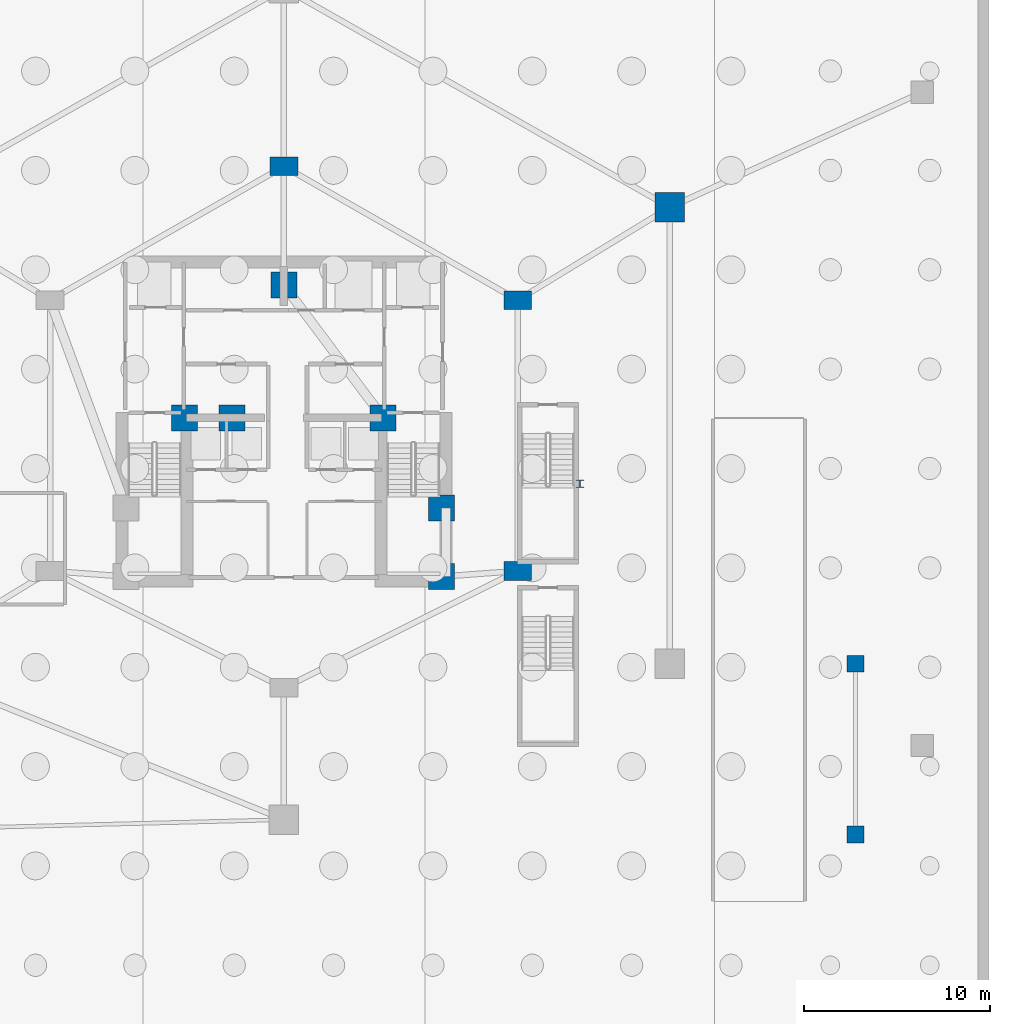
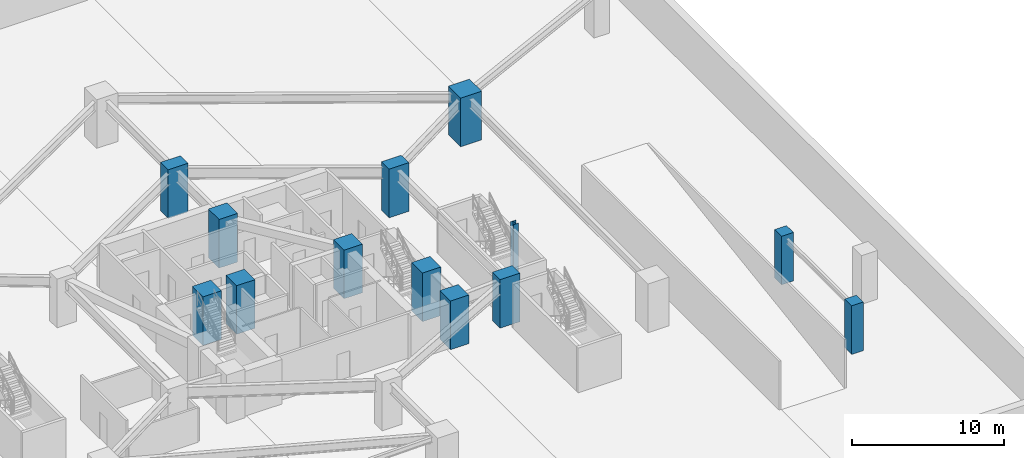
# One storey, part 4 of 14: 13 columns.
"""IFC4 building model written with IfcOpenShell, lengths in metres."""

from ifc_helpers import new_model, si_unit, direction, frame, origin, origin_2d, place, context, subcontext, project, spatial, rectangle, i_section, extrude, material, material_profile, profile_set, type_object, element, save


model = new_model("IFC4")

# Units and contexts
model_context = context("Model", 3, precision=1e-05, world=origin(), true_north=direction((0.0, 1.0)))
body_context = subcontext(model_context, "Body", "Model", "MODEL_VIEW")
ifc_project = project(units=[si_unit("LENGTHUNIT", "METRE"), si_unit("AREAUNIT", "SQUARE_METRE"), si_unit("VOLUMEUNIT", "CUBIC_METRE"), si_unit("PLANEANGLEUNIT", "RADIAN"), si_unit("MASSUNIT", "GRAM", prefix="KILO")], contexts=[model_context])

# Site, building, storey
site_placement = place(None, origin())
site = spatial("IfcSite", under=ifc_project, at=site_placement, CompositionType="ELEMENT")
building_placement = place(site_placement, origin())
building = spatial("IfcBuilding", under=site, at=building_placement, Name="Miruveldt Soraemaru", CompositionType="ELEMENT")
storey_placement = place(building_placement, frame((0.0, 0.0, -15.60009765625)))
storey = spatial("IfcBuildingStorey", under=building, at=storey_placement, Name="B4", CompositionType="ELEMENT", Elevation=-15.60009765625)

# Columns
ifc_material_1 = material(Name="Concrete C50/60 (50 MPa)", Category="concrete")
ifc_material_profile_1 = material_profile(ifc_material_1, rectangle(XDim=0.89990234375, YDim=0.89990234375, at=origin_2d()), Name="Concrete C50/60 (50 MPa)", Category="concrete")
ifc_profile_set_1 = profile_set([ifc_material_profile_1], Name="Concrete C50/60 (50 MPa)")
column_type_1 = type_object("IfcColumnType", Name="COL-CORE-900", PredefinedType="COLUMN", material=ifc_profile_set_1)
for number, where, z_axis, x_axis, name in (
    (1, (74.800048828125, 21.60009765625, 0.0), (0.0, 0.0, 1.0), (1.0, 0.0, 0.0), "B4 Structural Column PF03"),
    (2, (74.800048828125, 30.800048828125, 0.0), (0.0, 0.0, 1.0), (1.0, 0.0, 0.0), "B4 Structural Column PF04"),
):
    element("IfcColumn", number, at=place(storey_placement, frame(where, z_axis=z_axis, x_axis=x_axis)), inside=storey, type_object=column_type_1, Name=name, PredefinedType="COLUMN", context=body_context, shape_type="SweptSolid", body=[
        extrude(rectangle(XDim=0.89990234375, YDim=0.89990234375, at=origin_2d()), origin(), (0.0, 0.0, 1.0), 3.900146484375),
    ])
ifc_material_2 = material(Name="Concrete C80/95 (80 MPa)", Category="concrete")
ifc_material_profile_2 = material_profile(ifc_material_2, rectangle(XDim=1.39990234375, YDim=1.39990234375, at=origin_2d()), Name="Concrete C80/95 (80 MPa)", Category="concrete")
ifc_profile_set_2 = profile_set([ifc_material_profile_2], Name="Concrete C80/95 (80 MPa)")
column_type_2 = type_object("IfcColumnType", Name="COL-MEGA-1400", PredefinedType="COLUMN", material=ifc_profile_set_2)
for number, where, z_axis, x_axis, name in (
    (3, (38.64990234375, 44.050048828125, 0.0), (0.0, 0.0, 1.0), (1.0, 0.0, 0.0), "B4 Structural Column CC2"),
    (4, (52.5, 35.5, 0.0), (0.0, 0.0, 1.0), (1.0, 0.0, 0.0), "B4 Structural Column CC3"),
    (5, (52.5, 39.199951171875, 0.0), (0.0, 0.0, 1.0), (1.0, 0.0, 0.0), "B4 Structural Column CC4"),
    (6, (49.35009765625, 44.050048828125, 0.0), (0.0, 0.0, 1.0), (1.0, 0.0, 0.0), "B4 Structural Column CC5"),
    (7, (44.0, 51.199951171875, 0.0), (0.0, 0.0, 1.0), (1.0, 0.0, 0.0), "B4 Structural Column CC6"),
    (8, (41.199951171875, 44.050048828125, 0.0), (0.0, 0.0, 1.0), (1.0, 0.0, 0.0), "B4 Structural Column CC8"),
):
    element("IfcColumn", number, at=place(storey_placement, frame(where, z_axis=z_axis, x_axis=x_axis)), inside=storey, type_object=column_type_2, Name=name, PredefinedType="COLUMN", context=body_context, shape_type="SweptSolid", body=[
        extrude(rectangle(XDim=1.39990234375, YDim=1.39990234375, at=origin_2d()), origin(), (0.0, 0.0, 1.0), 3.900146484375),
    ])
ifc_material_profile_3 = material_profile(ifc_material_2, rectangle(XDim=1.60009765625, YDim=1.60009765625, at=origin_2d()), Name="Concrete C80/95 (80 MPa)", Category="concrete")
ifc_profile_set_3 = profile_set([ifc_material_profile_3], Name="Concrete C80/95 (80 MPa)")
column_type_3 = type_object("IfcColumnType", Name="COL-MEGA-1600", PredefinedType="COLUMN", material=ifc_profile_set_3)
column_1_placement = place(storey_placement, frame((64.800048828125, 55.39990234375, 0.0), z_axis=(0.0, 0.0, 1.0), x_axis=(1.0, 0.0, 0.0)))
element("IfcColumn", 9, at=column_1_placement, inside=storey, type_object=column_type_3, Name="B4 Structural Column PM02", PredefinedType="COLUMN", context=body_context, shape_type="SweptSolid", body=[
    extrude(rectangle(XDim=1.60009765625, YDim=1.60009765625, at=origin_2d()), origin(), (0.0, 0.0, 1.0), 3.900146484375),
])
ifc_material_3 = material(Name="Steel S460 (460 MPa)", Category="steel")
ifc_material_profile_4 = material_profile(ifc_material_3, i_section(OverallWidth=0.39990234375, OverallDepth=0.39990234375, WebThickness=0.012939453125, FlangeThickness=0.02099609375, FilletRadius=0.02197265625, at=origin_2d()), Name="Steel S460 (460 MPa)", Category="steel")
ifc_profile_set_4 = profile_set([ifc_material_profile_4], Name="Steel S460 (460 MPa)")
column_type_4 = type_object("IfcColumnType", Name="COL-PIL-400", PredefinedType="PILASTER", material=ifc_profile_set_4)
column_2_placement = place(storey_placement, frame((59.949951171875, 40.5, 0.0), z_axis=(0.0, 0.0, 1.0), x_axis=(1.0, 0.0, 0.0)))
element("IfcColumn", 10, at=column_2_placement, inside=storey, type_object=column_type_4, Name="B4 Structural Column PIL2", PredefinedType="PILASTER", context=body_context, shape_type="SweptSolid", body=[
    extrude(i_section(OverallWidth=0.39990234375, OverallDepth=0.39990234375, WebThickness=0.012939453125, FlangeThickness=0.02099609375, FilletRadius=0.02197265625, at=origin_2d()), origin(), (0.0, 0.0, 1.0), 3.900146484375),
])
ifc_material_profile_5 = material_profile(ifc_material_2, rectangle(XDim=1.5, YDim=1.0, at=origin_2d()), Name="Concrete C80/95 (80 MPa)", Category="concrete")
ifc_profile_set_5 = profile_set([ifc_material_profile_5], Name="Concrete C80/95 (80 MPa)")
column_type_5 = type_object("IfcColumnType", Name="COL-TW-Z1A", PredefinedType="COLUMN", material=ifc_profile_set_5)
for number, where, z_axis, x_axis, name in (
    (11, (44.0, 57.60009765625, 0.0), (0.0, 0.0, 1.0), (1.0, 0.0, 0.0), "B4 Structural Column IR01"),
    (12, (56.60009765625, 50.39990234375, 0.0), (0.0, 0.0, 1.0), (1.0, 0.0, 0.0), "B4 Structural Column IR02"),
    (13, (56.60009765625, 35.800048828125, 0.0), (0.0, 0.0, 1.0), (1.0, 0.0, 0.0), "B4 Structural Column IR03"),
):
    element("IfcColumn", number, at=place(storey_placement, frame(where, z_axis=z_axis, x_axis=x_axis)), inside=storey, type_object=column_type_5, Name=name, PredefinedType="COLUMN", context=body_context, shape_type="SweptSolid", body=[
        extrude(rectangle(XDim=1.5, YDim=1.0, at=origin_2d()), origin(), (0.0, 0.0, 1.0), 3.900146484375),
    ])

save(model, "model.ifc")
